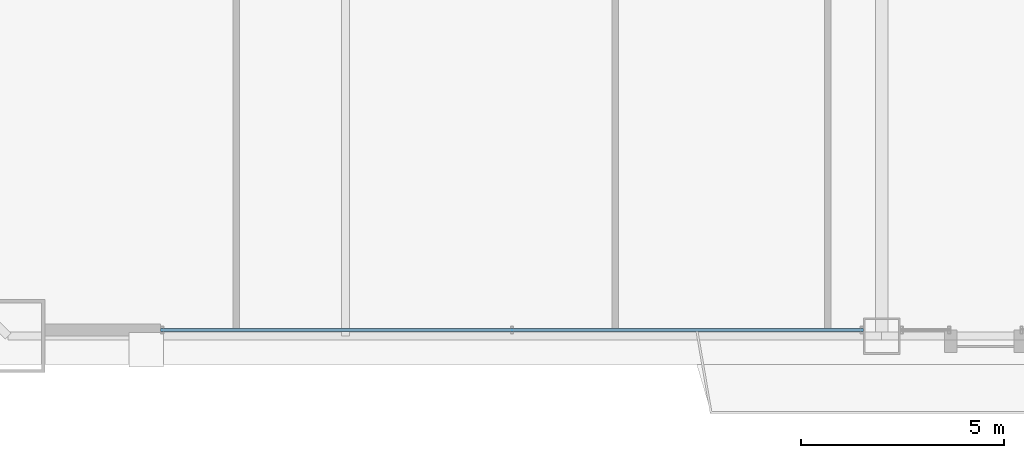
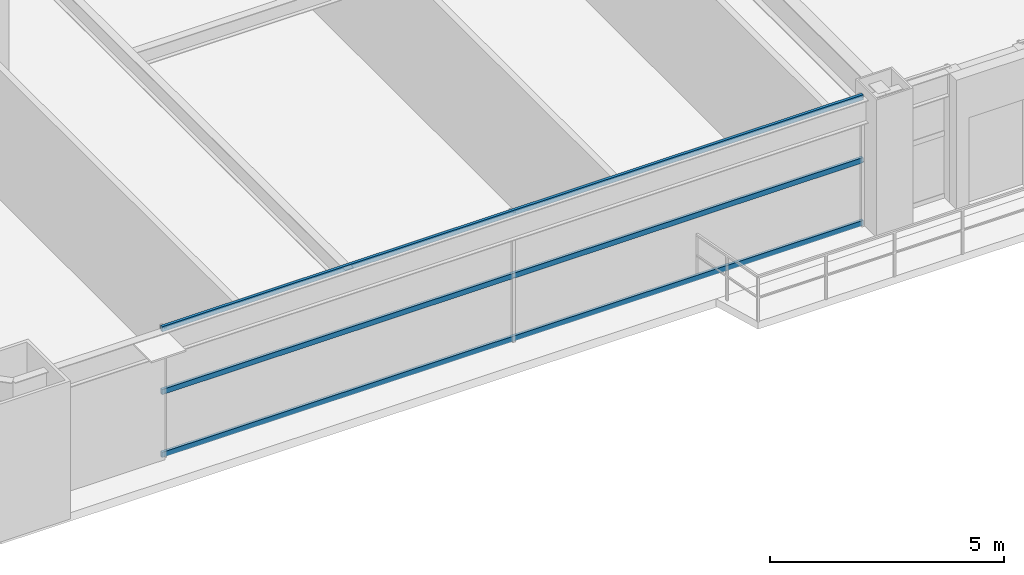
# One storey, part 10 of 46: 3 members, 1 element without a shape of its own.
"""IFC4 building model written with IfcOpenShell, lengths in metres."""

from ifc_helpers import new_model, si_unit, direction, frame, origin, origin_2d, place, context, subcontext, project, spatial, hollow_rectangle, extrude, source, transform, mapped, material, layer, layer_set, material_profile, profile_set, type_object, element, aggregate, save


model = new_model("IFC4")

# Units and contexts
model_context = context("Model", 3, precision=1e-05, world=origin(), true_north=direction((0.0, 1.0)))
body_context = subcontext(model_context, "Body", "Model", "MODEL_VIEW")
ifc_project = project(units=[si_unit("LENGTHUNIT", "METRE"), si_unit("AREAUNIT", "SQUARE_METRE"), si_unit("VOLUMEUNIT", "CUBIC_METRE"), si_unit("PLANEANGLEUNIT", "RADIAN"), si_unit("MASSUNIT", "GRAM", prefix="KILO"), si_unit("THERMODYNAMICTEMPERATUREUNIT", "KELVIN"), si_unit("POWERUNIT", "WATT")], contexts=[model_context])

# Site, building, storey
site_placement = place(None, origin())
site = spatial("IfcSite", under=ifc_project, at=site_placement, CompositionType="ELEMENT")
building_placement = place(site_placement, origin())
building = spatial("IfcBuilding", under=site, at=building_placement, Name="Yuzanri Waterfront Tower", CompositionType="ELEMENT")
storey_placement = place(building_placement, frame((0.0, 0.0, 56.800048828125)))
storey = spatial("IfcBuildingStorey", under=building, at=storey_placement, Name="L14", CompositionType="ELEMENT", Elevation=56.800048828125)

# Curtain wall, members
ifc_material_1 = material(Name="Anodized Architectural Bronze", Category="metal")
ifc_layer = layer(ifc_material_1, 0.159912109375)
ifc_layer_set = layer_set([ifc_layer], Name="Anodized Architectural Bronze")
curtain_wall_type = type_object("IfcCurtainWallType", Name="Anodized Bronze Hotel Lower-Tier Recessed Unitized Curtain Wall 8100", PredefinedType="NOTDEFINED", material=ifc_layer_set)
curtain_wall_placement = place(storey_placement, origin())
curtain_wall = element("IfcCurtainWall", 1, at=curtain_wall_placement, inside=storey, type_object=curtain_wall_type, Name="L14 Curtain Wall CW-L14-SL", PredefinedType="NOTDEFINED")
ifc_material_2 = material(Name="Anodized Architectural Bronze", Category="metal")
ifc_material_profile = material_profile(ifc_material_2, hollow_rectangle(XDim=0.070068359375, YDim=0.135009765625, WallThickness=0.00341796875, at=origin_2d()), Name="CWT 70x135")
ifc_profile_set = profile_set([ifc_material_profile], Name="Anodized Architectural Bronze")
member_type = type_object("IfcMemberType", Name="Anodized Bronze Standard Curtain-Wall Transom 70x135", PredefinedType="USERDEFINED", material=ifc_profile_set)
shared_shape = source(origin(), body_context, "Body", "SweptSolid", [
    extrude(hollow_rectangle(XDim=0.070068359375, YDim=0.135009765625, WallThickness=0.00341796875, at=origin_2d()), origin(), (0.0, 0.0, 1.0), 17.300048828125),
])
member_1_placement = place(storey_placement, frame((19.25, 0.85009765625, 0.050048828125), z_axis=(1.0, 0.0, 0.0), x_axis=(0.0, 1.0, 0.0)))
member_1 = element("IfcMember", 2, at=member_1_placement, type_object=member_type, Name="CW-L14-SL Transom 1", ObjectType="TRANSOM", PredefinedType="USERDEFINED", context=body_context, shape_type="MappedRepresentation", body=[
    mapped(shared_shape, transform((0.0, 0.0, 0.0), scale=1.0)),
])
member_2_placement = place(storey_placement, frame((19.25, 0.85009765625, 1.68994140625), z_axis=(1.0, 0.0, 0.0), x_axis=(0.0, 1.0, 0.0)))
member_2 = element("IfcMember", 3, at=member_2_placement, type_object=member_type, Name="CW-L14-SL Transom 2", ObjectType="TRANSOM", PredefinedType="USERDEFINED", context=body_context, shape_type="MappedRepresentation", body=[
    mapped(shared_shape, transform((0.0, 0.0, 0.0), scale=1.0)),
])
member_3_placement = place(storey_placement, frame((19.25, 0.85009765625, 3.329833984375), z_axis=(1.0, 0.0, 0.0), x_axis=(0.0, 1.0, 0.0)))
member_3 = element("IfcMember", 4, at=member_3_placement, type_object=member_type, Name="CW-L14-SL Transom 3", ObjectType="TRANSOM", PredefinedType="USERDEFINED", context=body_context, shape_type="MappedRepresentation", body=[
    mapped(shared_shape, transform((0.0, 0.0, 0.0), scale=1.0)),
])
aggregate(curtain_wall, [member_1, member_2, member_3])

save(model, "model.ifc")
